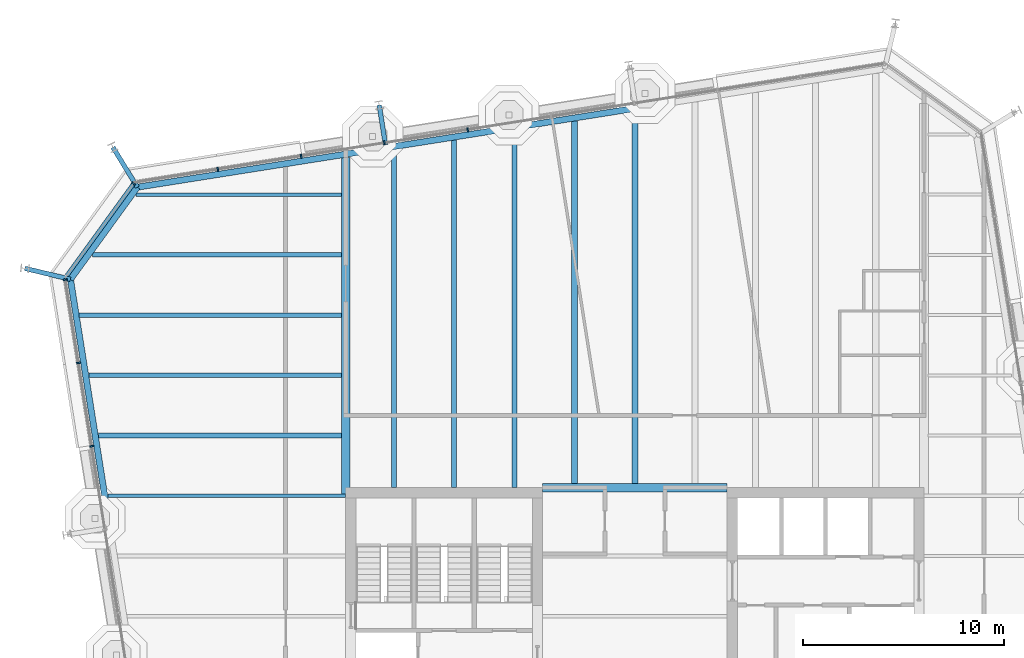
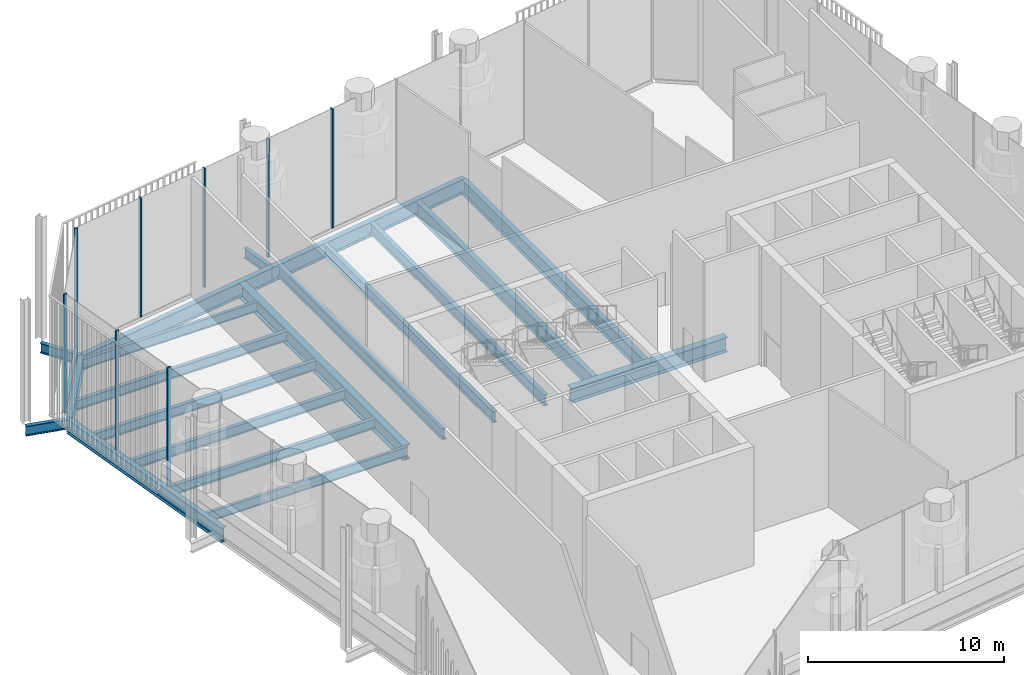
# One storey, part 7 of 17: 20 beams, 9 members, 3 elements without a shape of their own.
"""IFC4 building model written with IfcOpenShell, lengths in metres."""

from ifc_helpers import new_model, si_unit, direction, frame, origin, origin_2d, place, context, subcontext, project, spatial, rectangle, i_section, extrude, material, layer, layer_set, material_profile, profile_set, type_object, element, aggregate, save


model = new_model("IFC4")

# Units and contexts
model_context = context("Model", 3, precision=1e-05, world=origin(), true_north=direction((0.0, 1.0)))
body_context = subcontext(model_context, "Body", "Model", "MODEL_VIEW")
ifc_project = project(units=[si_unit("LENGTHUNIT", "METRE"), si_unit("AREAUNIT", "SQUARE_METRE"), si_unit("VOLUMEUNIT", "CUBIC_METRE"), si_unit("PLANEANGLEUNIT", "RADIAN"), si_unit("MASSUNIT", "GRAM", prefix="KILO")], contexts=[model_context])

# Site, building, storey
site_placement = place(None, origin())
site = spatial("IfcSite", under=ifc_project, at=site_placement, CompositionType="ELEMENT")
building_placement = place(site_placement, origin())
building = spatial("IfcBuilding", under=site, at=building_placement, Name="Millrace Tower", CompositionType="ELEMENT")
storey_placement = place(building_placement, frame((0.0, 0.0, 239.800048828125)))
storey = spatial("IfcBuildingStorey", under=building, at=storey_placement, Name="L55", CompositionType="ELEMENT", Elevation=239.800048828125)

# Curtain wall, members
ifc_material_1 = material(Name="Aluminium and glass", Category="aluminium")
ifc_layer = layer(ifc_material_1, 0.199951171875)
ifc_layer_set = layer_set([ifc_layer], Name="Aluminium and glass")
curtain_wall_type = type_object("IfcCurtainWallType", Name="CW-4 sky garden winter glazing", PredefinedType="NOTDEFINED", material=ifc_layer_set)
placement = place(storey_placement, origin())
curtain_wall_1 = element("IfcCurtainWall", 1, at=placement, inside=storey, type_object=curtain_wall_type, Name="Curtain wall D-F06 L55", PredefinedType="NOTDEFINED")
ifc_material_2 = material(Name="Aluminium", Category="aluminium")
ifc_material_profile_1 = material_profile(ifc_material_2, rectangle(XDim=0.080078125, YDim=0.199951171875, at=origin_2d()))
ifc_profile_set_1 = profile_set([ifc_material_profile_1], Name="Aluminium")
member_type_1 = type_object("IfcMemberType", Name="CW-4 sky garden winter glazing mullion", PredefinedType="MULLION", material=ifc_profile_set_1)
member_1_placement = place(storey_placement, frame((-8.327392578125, 27.230712890625, 0.179931640625), z_axis=(0.0, 0.0, 1.0), x_axis=(-0.987688339511, -0.156434471884, 0.0)))
member_1 = element("IfcMember", 2, at=member_1_placement, type_object=member_type_1, Name="CW4 mullion D-F06.6", PredefinedType="MULLION", context=body_context, shape_type="SweptSolid", body=[
    extrude(rectangle(XDim=0.080078125, YDim=0.199951171875, at=origin_2d()), origin(), (0.0, 0.0, 1.0), 7.419921875),
])
member_2_placement = place(storey_placement, frame((-12.4755859375, 26.57373046875, 0.179931640625), z_axis=(0.0, 0.0, 1.0), x_axis=(-0.987688339511, -0.156434471884, 0.0)))
member_2 = element("IfcMember", 3, at=member_2_placement, type_object=member_type_1, Name="CW4 mullion D-F06.7", PredefinedType="MULLION", context=body_context, shape_type="SweptSolid", body=[
    extrude(rectangle(XDim=0.080078125, YDim=0.199951171875, at=origin_2d()), origin(), (0.0, 0.0, 1.0), 7.419921875),
])
member_3_placement = place(storey_placement, frame((-16.623779296875, 25.916748046875, 0.179931640625), z_axis=(0.0, 0.0, 1.0), x_axis=(-0.987688339511, -0.156434471884, 0.0)))
member_3 = element("IfcMember", 4, at=member_3_placement, type_object=member_type_1, Name="CW4 mullion D-F06.8", PredefinedType="MULLION", context=body_context, shape_type="SweptSolid", body=[
    extrude(rectangle(XDim=0.080078125, YDim=0.199951171875, at=origin_2d()), origin(), (0.0, 0.0, 1.0), 7.419921875),
])
member_4_placement = place(storey_placement, frame((-20.772216796875, 25.259765625, 0.179931640625), z_axis=(0.0, 0.0, 1.0), x_axis=(-0.987688339511, -0.156434471884, 0.0)))
member_4 = element("IfcMember", 5, at=member_4_placement, type_object=member_type_1, Name="CW4 mullion D-F06.9", PredefinedType="MULLION", context=body_context, shape_type="SweptSolid", body=[
    extrude(rectangle(XDim=0.080078125, YDim=0.199951171875, at=origin_2d()), origin(), (0.0, 0.0, 1.0), 7.419921875),
])
aggregate(curtain_wall_1, [member_1, member_2, member_3, member_4])

# Curtain wall, member
curtain_wall_2 = element("IfcCurtainWall", 6, at=placement, inside=storey, type_object=curtain_wall_type, Name="Curtain wall D-F07 L55", PredefinedType="NOTDEFINED")
member_5_placement = place(storey_placement, frame((-24.9697265625, 24.53662109375, 0.179931640625), z_axis=(0.0, 0.0, 1.0), x_axis=(-0.587785305991, -0.809016955361, 0.0)))
member_5 = element("IfcMember", 7, at=member_5_placement, type_object=member_type_1, Name="CW4 mullion D-F07.1", PredefinedType="MULLION", context=body_context, shape_type="SweptSolid", body=[
    extrude(rectangle(XDim=0.080078125, YDim=0.199951171875, at=origin_2d()), origin(), (0.0, 0.0, 1.0), 7.419921875),
])

# Curtain wall, members
curtain_wall_3 = element("IfcCurtainWall", 8, at=placement, inside=storey, type_object=curtain_wall_type, Name="Curtain wall D-F08 L55", PredefinedType="NOTDEFINED")
member_6_placement = place(storey_placement, frame((-28.365966796875, 19.76416015625, 0.179931640625), z_axis=(0.0, 0.0, 1.0), x_axis=(0.156434471884, -0.987688339511, 0.0)))
member_6 = element("IfcMember", 9, at=member_6_placement, type_object=member_type_1, Name="CW4 mullion D-F08.1", PredefinedType="MULLION", context=body_context, shape_type="SweptSolid", body=[
    extrude(rectangle(XDim=0.080078125, YDim=0.199951171875, at=origin_2d()), origin(), (0.0, 0.0, 1.0), 7.419921875),
])
member_7_placement = place(storey_placement, frame((-27.708984375, 15.615966796875, 0.179931640625), z_axis=(0.0, 0.0, 1.0), x_axis=(0.156434471884, -0.987688339511, 0.0)))
member_7 = element("IfcMember", 10, at=member_7_placement, type_object=member_type_1, Name="CW4 mullion D-F08.2", PredefinedType="MULLION", context=body_context, shape_type="SweptSolid", body=[
    extrude(rectangle(XDim=0.080078125, YDim=0.199951171875, at=origin_2d()), origin(), (0.0, 0.0, 1.0), 7.419921875),
])
member_8_placement = place(storey_placement, frame((-27.052001953125, 11.467529296875, 0.179931640625), z_axis=(0.0, 0.0, 1.0), x_axis=(0.156434471884, -0.987688339511, 0.0)))
member_8 = element("IfcMember", 11, at=member_8_placement, type_object=member_type_1, Name="CW4 mullion D-F08.3", PredefinedType="MULLION", context=body_context, shape_type="SweptSolid", body=[
    extrude(rectangle(XDim=0.080078125, YDim=0.199951171875, at=origin_2d()), origin(), (0.0, 0.0, 1.0), 7.419921875),
])
aggregate(curtain_wall_3, [member_6, member_7, member_8])

# Member
ifc_material_3 = material(Name="Aluminium", Category="aluminium")
ifc_material_profile_2 = material_profile(ifc_material_3, rectangle(XDim=0.199951171875, YDim=0.179931640625, at=origin_2d()))
ifc_profile_set_2 = profile_set([ifc_material_profile_2], Name="Aluminium")
member_type_2 = type_object("IfcMemberType", Name="CW-4 sky garden winter glazing transom", PredefinedType="USERDEFINED", material=ifc_profile_set_2)
member_9_placement = place(storey_placement, frame((-25.0048828125, 24.488037109375, 0.08984375), z_axis=(-0.587811213399, -0.808998131891, 0.0), x_axis=(0.808998131891, -0.587811213399, 0.0)))
member_9 = element("IfcMember", 12, at=member_9_placement, type_object=member_type_2, Name="CW4 transom D-F07.1", ObjectType="TRANSOM", PredefinedType="USERDEFINED", context=body_context, shape_type="SweptSolid", body=[
    extrude(rectangle(XDim=0.199951171875, YDim=0.179931640625, at=origin_2d()), origin(), (0.0, 0.0, 1.0), 5.598388671875),
])

aggregate(curtain_wall_2, [member_5, member_9])

# Beams
ifc_material_4 = material(Name="Steel ASTM A992 Grade 50", Category="steel")
ifc_material_profile_3 = material_profile(ifc_material_4, i_section(OverallWidth=0.1787109375, OverallDepth=0.60205078125, WebThickness=0.010986328125, FlangeThickness=0.014892578125, FilletRadius=0.0126953125, at=origin_2d()))
ifc_profile_set_3 = profile_set([ifc_material_profile_3], Name="Steel ASTM A992 Grade 50")
beam_type_1 = type_object("IfcBeamType", Name="Floor beam W24x62", PredefinedType="JOIST", material=ifc_profile_set_3)
beam_1_placement = place(storey_placement, frame((-26.248779296875, 9.0, -0.551025390625), z_axis=(1.0, 0.0, 0.0), x_axis=(0.0, 1.0, 0.0)))
element("IfcBeam", 13, at=beam_1_placement, inside=storey, type_object=beam_type_1, Name="BM-D-L55-S1-S023", PredefinedType="JOIST", context=body_context, shape_type="SweptSolid", body=[
    extrude(i_section(OverallWidth=0.1787109375, OverallDepth=0.60205078125, WebThickness=0.010986328125, FlangeThickness=0.014892578125, FilletRadius=0.0126953125, at=origin_2d()), origin(), (0.0, 0.0, 1.0), 11.848876953125),
])
beam_2_placement = place(storey_placement, frame((-24.843994140625, 24.0, -0.551025390625), z_axis=(1.0, 0.0, 0.0), x_axis=(0.0, 1.0, 0.0)))
element("IfcBeam", 14, at=beam_2_placement, inside=storey, type_object=beam_type_1, Name="BM-D-L55-S1-S033", PredefinedType="JOIST", context=body_context, shape_type="SweptSolid", body=[
    extrude(i_section(OverallWidth=0.1787109375, OverallDepth=0.60205078125, WebThickness=0.010986328125, FlangeThickness=0.014892578125, FilletRadius=0.0126953125, at=origin_2d()), origin(), (0.0, 0.0, 1.0), 10.234375),
])
ifc_material_5 = material(Name="Steel ASTM A992 Grade 50", Category="steel")
ifc_material_profile_4 = material_profile(ifc_material_5, i_section(OverallWidth=0.228271484375, OverallDepth=0.607177734375, WebThickness=0.01123046875, FlangeThickness=0.017333984375, FilletRadius=0.0126953125, at=origin_2d()))
ifc_profile_set_4 = profile_set([ifc_material_profile_4], Name="Steel ASTM A992 Grade 50")
beam_type_2 = type_object("IfcBeamType", Name="Floor beam W24x76", PredefinedType="JOIST", material=ifc_profile_set_4)
beam_3_placement = place(storey_placement, frame((-26.723876953125, 12.0, -0.553466796875), z_axis=(1.0, 0.0, 0.0), x_axis=(0.0, 1.0, 0.0)))
element("IfcBeam", 15, at=beam_3_placement, inside=storey, type_object=beam_type_2, Name="BM-D-L55-S1-S025", PredefinedType="JOIST", context=body_context, shape_type="SweptSolid", body=[
    extrude(i_section(OverallWidth=0.228271484375, OverallDepth=0.607177734375, WebThickness=0.01123046875, FlangeThickness=0.017333984375, FilletRadius=0.0126953125, at=origin_2d()), origin(), (0.0, 0.0, 1.0), 12.1142578125),
])
beam_4_placement = place(storey_placement, frame((-27.198974609375, 15.0, -0.553466796875), z_axis=(1.0, 0.0, 0.0), x_axis=(0.0, 1.0, 0.0)))
element("IfcBeam", 16, at=beam_4_placement, inside=storey, type_object=beam_type_2, Name="BM-D-L55-S1-S027", PredefinedType="JOIST", context=body_context, shape_type="SweptSolid", body=[
    extrude(i_section(OverallWidth=0.228271484375, OverallDepth=0.607177734375, WebThickness=0.01123046875, FlangeThickness=0.017333984375, FilletRadius=0.0126953125, at=origin_2d()), origin(), (0.0, 0.0, 1.0), 12.58935546875),
])
beam_5_placement = place(storey_placement, frame((-27.674072265625, 18.0, -0.553466796875), z_axis=(1.0, 0.0, 0.0), x_axis=(0.0, 1.0, 0.0)))
element("IfcBeam", 17, at=beam_5_placement, inside=storey, type_object=beam_type_2, Name="BM-D-L55-S1-S029", PredefinedType="JOIST", context=body_context, shape_type="SweptSolid", body=[
    extrude(i_section(OverallWidth=0.228271484375, OverallDepth=0.607177734375, WebThickness=0.01123046875, FlangeThickness=0.017333984375, FilletRadius=0.0126953125, at=origin_2d()), origin(), (0.0, 0.0, 1.0), 13.064453125),
])
beam_6_placement = place(storey_placement, frame((-27.0078125, 21.0, -0.553466796875), z_axis=(1.0, 0.0, 0.0), x_axis=(0.0, 1.0, 0.0)))
element("IfcBeam", 18, at=beam_6_placement, inside=storey, type_object=beam_type_2, Name="BM-D-L55-S1-S031", PredefinedType="JOIST", context=body_context, shape_type="SweptSolid", body=[
    extrude(i_section(OverallWidth=0.228271484375, OverallDepth=0.607177734375, WebThickness=0.01123046875, FlangeThickness=0.017333984375, FilletRadius=0.0126953125, at=origin_2d()), origin(), (0.0, 0.0, 1.0), 12.398193359375),
])
ifc_material_6 = material(Name="Steel ASTM A992 Grade 50", Category="steel")
ifc_material_profile_5 = material_profile(ifc_material_6, i_section(OverallWidth=0.256591796875, OverallDepth=0.693359375, WebThickness=0.014404296875, FlangeThickness=0.023681640625, FilletRadius=0.01513671875, at=origin_2d()))
ifc_profile_set_5 = profile_set([ifc_material_profile_5], Name="Steel ASTM A992 Grade 50")
beam_type_3 = type_object("IfcBeamType", Name="Floor beam W27x114", PredefinedType="JOIST", material=ifc_profile_set_5)
beam_7_placement = place(storey_placement, frame((-12.0, 9.39990234375, -0.5966796875), z_axis=(0.0, 1.0, 0.0), x_axis=(-1.0, 0.0, 0.0)))
element("IfcBeam", 19, at=beam_7_placement, inside=storey, type_object=beam_type_3, Name="BM-D-L55-S1-S036", PredefinedType="JOIST", context=body_context, shape_type="SweptSolid", body=[
    extrude(i_section(OverallWidth=0.256591796875, OverallDepth=0.693359375, WebThickness=0.014404296875, FlangeThickness=0.023681640625, FilletRadius=0.01513671875, at=origin_2d()), origin(), (0.0, 0.0, 1.0), 16.8369140625),
])
beam_8_placement = place(storey_placement, frame((-9.0, 9.39990234375, -0.5966796875), z_axis=(0.0, 1.0, 0.0), x_axis=(-1.0, 0.0, 0.0)))
element("IfcBeam", 20, at=beam_8_placement, inside=storey, type_object=beam_type_3, Name="BM-D-L55-S1-S038", PredefinedType="JOIST", context=body_context, shape_type="SweptSolid", body=[
    extrude(i_section(OverallWidth=0.256591796875, OverallDepth=0.693359375, WebThickness=0.014404296875, FlangeThickness=0.023681640625, FilletRadius=0.01513671875, at=origin_2d()), origin(), (0.0, 0.0, 1.0), 17.31201171875),
])
beam_9_placement = place(storey_placement, frame((-6.0, 9.39990234375, -0.5966796875), z_axis=(0.0, 1.0, 0.0), x_axis=(-1.0, 0.0, 0.0)))
element("IfcBeam", 21, at=beam_9_placement, inside=storey, type_object=beam_type_3, Name="BM-D-L55-S1-S040", PredefinedType="JOIST", context=body_context, shape_type="SweptSolid", body=[
    extrude(i_section(OverallWidth=0.256591796875, OverallDepth=0.693359375, WebThickness=0.014404296875, FlangeThickness=0.023681640625, FilletRadius=0.01513671875, at=origin_2d()), origin(), (0.0, 0.0, 1.0), 17.787109375),
])
ifc_material_7 = material(Name="Steel ASTM A992 Grade 50", Category="steel")
ifc_material_profile_6 = material_profile(ifc_material_7, i_section(OverallWidth=0.307373046875, OverallDepth=0.927001953125, WebThickness=0.01953125, FlangeThickness=0.031982421875, FilletRadius=0.01904296875, at=origin_2d()))
ifc_profile_set_6 = profile_set([ifc_material_profile_6], Name="Steel ASTM A992 Grade 50")
beam_type_4 = type_object("IfcBeamType", Name="Floor beam W36x194", PredefinedType="JOIST", material=ifc_profile_set_6)
beam_10_placement = place(storey_placement, frame((-3.0, 9.609619140625, -0.713623046875), z_axis=(0.0, 1.0, 0.0), x_axis=(-1.0, 0.0, 0.0)))
element("IfcBeam", 22, at=beam_10_placement, inside=storey, type_object=beam_type_4, Name="BM-D-L55-S1-S042", PredefinedType="JOIST", context=body_context, shape_type="SweptSolid", body=[
    extrude(i_section(OverallWidth=0.307373046875, OverallDepth=0.927001953125, WebThickness=0.01953125, FlangeThickness=0.031982421875, FilletRadius=0.01904296875, at=origin_2d()), origin(), (0.0, 0.0, 1.0), 18.052490234375),
])
beam_11_placement = place(storey_placement, frame((0.0, 9.609619140625, -0.713623046875), z_axis=(0.0, 1.0, 0.0), x_axis=(-1.0, 0.0, 0.0)))
element("IfcBeam", 23, at=beam_11_placement, inside=storey, type_object=beam_type_4, Name="BM-D-L55-S1-S044", PredefinedType="JOIST", context=body_context, shape_type="SweptSolid", body=[
    extrude(i_section(OverallWidth=0.307373046875, OverallDepth=0.927001953125, WebThickness=0.01953125, FlangeThickness=0.031982421875, FilletRadius=0.01904296875, at=origin_2d()), origin(), (0.0, 0.0, 1.0), 18.527587890625),
])
ifc_material_8 = material(Name="Steel ASTM A992 Grade 50", Category="steel")
ifc_material_profile_7 = material_profile(ifc_material_8, i_section(OverallWidth=0.424072265625, OverallDepth=0.947509765625, WebThickness=0.02392578125, FlangeThickness=0.042724609375, FilletRadius=0.024169921875, at=origin_2d()))
ifc_profile_set_7 = profile_set([ifc_material_profile_7], Name="Steel ASTM A992 Grade 50")
beam_type_5 = type_object("IfcBeamType", Name="Girder medium span W36x302", PredefinedType="BEAM", material=ifc_profile_set_7)
beam_12_placement = place(storey_placement, frame((-14.39990234375, 9.092041015625, -0.723876953125), z_axis=(0.0, 1.0, 0.0), x_axis=(-1.0, 0.0, 0.0)))
element("IfcBeam", 24, at=beam_12_placement, inside=storey, type_object=beam_type_5, Name="BM-D-L55-S1-G054", PredefinedType="BEAM", context=body_context, shape_type="SweptSolid", body=[
    extrude(i_section(OverallWidth=0.424072265625, OverallDepth=0.947509765625, WebThickness=0.02392578125, FlangeThickness=0.042724609375, FilletRadius=0.024169921875, at=origin_2d()), origin(), (0.0, 0.0, 1.0), 16.756591796875),
])
ifc_material_9 = material(Name="Steel ASTM A992 Grade 50", Category="steel")
ifc_material_profile_8 = material_profile(ifc_material_9, i_section(OverallWidth=0.419189453125, OverallDepth=0.927001953125, WebThickness=0.019287109375, FlangeThickness=0.031982421875, FilletRadius=0.024169921875, at=origin_2d()))
ifc_profile_set_8 = profile_set([ifc_material_profile_8], Name="Steel ASTM A992 Grade 50")
beam_type_6 = type_object("IfcBeamType", Name="Girder short span W36x231", PredefinedType="BEAM", material=ifc_profile_set_8)
beam_13_placement = place(storey_placement, frame((-4.60009765625, 9.39990234375, -0.713623046875), z_axis=(1.0, 0.0, 0.0), x_axis=(0.0, 1.0, 0.0)))
element("IfcBeam", 25, at=beam_13_placement, inside=storey, type_object=beam_type_6, Name="BM-D-L55-S1-G058", PredefinedType="BEAM", context=body_context, shape_type="SweptSolid", body=[
    extrude(i_section(OverallWidth=0.419189453125, OverallDepth=0.927001953125, WebThickness=0.019287109375, FlangeThickness=0.031982421875, FilletRadius=0.024169921875, at=origin_2d()), origin(), (0.0, 0.0, 1.0), 9.2001953125),
])
ifc_material_10 = material(Name="Steel ASTM A992 Grade 50", Category="steel")
ifc_material_profile_9 = material_profile(ifc_material_10, i_section(OverallWidth=0.23046875, OverallDepth=0.6171875, WebThickness=0.01318359375, FlangeThickness=0.022216796875, FilletRadius=0.012939453125, at=origin_2d()))
ifc_profile_set_9 = profile_set([ifc_material_profile_9], Name="Steel ASTM A992 Grade 50")
beam_type_7 = type_object("IfcBeamType", Name="Link beam W24x94", PredefinedType="BEAM", material=ifc_profile_set_9)
for number, where, z_axis, x_axis, name in (
    (26, (-28.11181640625, 19.780517578125, -0.55859375), (-0.972367333652, 0.233456138164, 0.0), (-0.233456138164, -0.972367333652, 0.0), "LNK-D-L55-S1-04"),
    (27, (-24.7783203125, 24.368408203125, -0.55859375), (-0.522512938711, 0.852631355792, 0.0), (-0.852631355792, -0.522512938711, 0.0), "LNK-D-L55-S1-05"),
):
    element("IfcBeam", number, at=place(storey_placement, frame(where, z_axis=z_axis, x_axis=x_axis)), inside=storey, type_object=beam_type_7, Name=name, PredefinedType="BEAM", context=body_context, shape_type="SweptSolid", body=[
        extrude(i_section(OverallWidth=0.23046875, OverallDepth=0.6171875, WebThickness=0.01318359375, FlangeThickness=0.022216796875, FilletRadius=0.012939453125, at=origin_2d()), origin(), (0.0, 0.0, 1.0), 2.3310546875),
    ])
beam_14_placement = place(storey_placement, frame((-12.42041015625, 26.481201171875, -0.55859375), z_axis=(-0.156476509441, 0.987681680499, 0.0), x_axis=(-0.987681680499, -0.156476509441, 0.0)))
element("IfcBeam", 28, at=beam_14_placement, inside=storey, type_object=beam_type_7, Name="LNK-D-L55-S1-06", PredefinedType="BEAM", context=body_context, shape_type="SweptSolid", body=[
    extrude(i_section(OverallWidth=0.23046875, OverallDepth=0.6171875, WebThickness=0.01318359375, FlangeThickness=0.022216796875, FilletRadius=0.012939453125, at=origin_2d()), origin(), (0.0, 0.0, 1.0), 2.000244140625),
])
ifc_material_11 = material(Name="Steel ASTM A992 Grade 50", Category="steel")
ifc_material_profile_10 = material_profile(ifc_material_11, i_section(OverallWidth=0.307373046875, OverallDepth=0.927001953125, WebThickness=0.01953125, FlangeThickness=0.031982421875, FilletRadius=0.01904296875, at=origin_2d()))
ifc_profile_set_10 = profile_set([ifc_material_profile_10], Name="Steel ASTM A992 Grade 50")
beam_type_8 = type_object("IfcBeamType", Name="Ring beam medium span W36x194", PredefinedType="SPANDREL", material=ifc_profile_set_10)
beam_15_placement = place(storey_placement, frame((-26.150634765625, 7.3984375, -0.713623046875), z_axis=(-0.156438575049, 0.987687689625, 0.0), x_axis=(-0.987687689625, -0.156438575049, 0.0)))
element("IfcBeam", 29, at=beam_15_placement, inside=storey, type_object=beam_type_8, Name="RNG-D-L55-S1-03", PredefinedType="SPANDREL", context=body_context, shape_type="SweptSolid", body=[
    extrude(i_section(OverallWidth=0.307373046875, OverallDepth=0.927001953125, WebThickness=0.01953125, FlangeThickness=0.031982421875, FilletRadius=0.01904296875, at=origin_2d()), origin(), (0.0, 0.0, 1.0), 12.536376953125),
])
beam_16_placement = place(storey_placement, frame((-24.7783203125, 24.368408203125, -0.713623046875), z_axis=(0.987687213011, 0.156441584157, 0.0), x_axis=(-0.156441584157, 0.987687213011, 0.0)))
element("IfcBeam", 30, at=beam_16_placement, inside=storey, type_object=beam_type_8, Name="RNG-D-L55-S1-05", PredefinedType="SPANDREL", context=body_context, shape_type="SweptSolid", body=[
    extrude(i_section(OverallWidth=0.307373046875, OverallDepth=0.927001953125, WebThickness=0.01953125, FlangeThickness=0.031982421875, FilletRadius=0.01904296875, at=origin_2d()), origin(), (0.0, 0.0, 1.0), 12.5361328125),
])
beam_17_placement = place(storey_placement, frame((-12.396484375, 26.32958984375, -0.713623046875), z_axis=(0.987690277015, 0.156422238477, 0.0), x_axis=(-0.156422238477, 0.987690277015, 0.0)))
element("IfcBeam", 31, at=beam_17_placement, inside=storey, type_object=beam_type_8, Name="RNG-D-L55-S1-06", PredefinedType="SPANDREL", context=body_context, shape_type="SweptSolid", body=[
    extrude(i_section(OverallWidth=0.307373046875, OverallDepth=0.927001953125, WebThickness=0.01953125, FlangeThickness=0.031982421875, FilletRadius=0.01904296875, at=origin_2d()), origin(), (0.0, 0.0, 1.0), 12.60009765625),
])
ifc_material_12 = material(Name="Steel ASTM A992 Grade 50", Category="steel")
ifc_material_profile_11 = material_profile(ifc_material_12, i_section(OverallWidth=0.307373046875, OverallDepth=0.927001953125, WebThickness=0.01953125, FlangeThickness=0.031982421875, FilletRadius=0.01904296875, at=origin_2d()))
ifc_profile_set_11 = profile_set([ifc_material_profile_11], Name="Steel ASTM A992 Grade 50")
beam_type_9 = type_object("IfcBeamType", Name="Ring beam short span W36x194", PredefinedType="SPANDREL", material=ifc_profile_set_11)
beam_18_placement = place(storey_placement, frame((-28.11181640625, 19.780517578125, -0.713623046875), z_axis=(0.587808154511, 0.809000354444, 0.0), x_axis=(-0.809000354444, 0.587808154511, 0.0)))
element("IfcBeam", 32, at=beam_18_placement, inside=storey, type_object=beam_type_9, Name="RNG-D-L55-S1-04", PredefinedType="SPANDREL", context=body_context, shape_type="SweptSolid", body=[
    extrude(i_section(OverallWidth=0.307373046875, OverallDepth=0.927001953125, WebThickness=0.01953125, FlangeThickness=0.031982421875, FilletRadius=0.01904296875, at=origin_2d()), origin(), (0.0, 0.0, 1.0), 5.671142578125),
])

save(model, "model.ifc")
